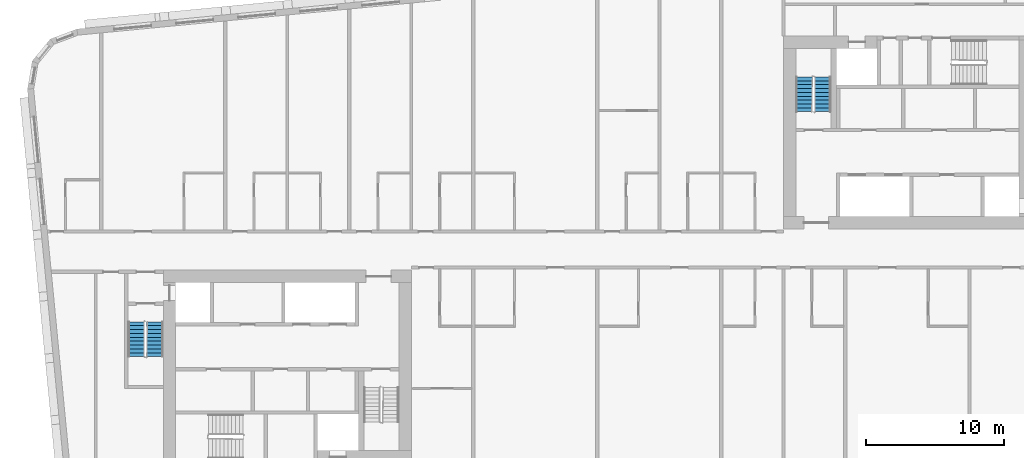
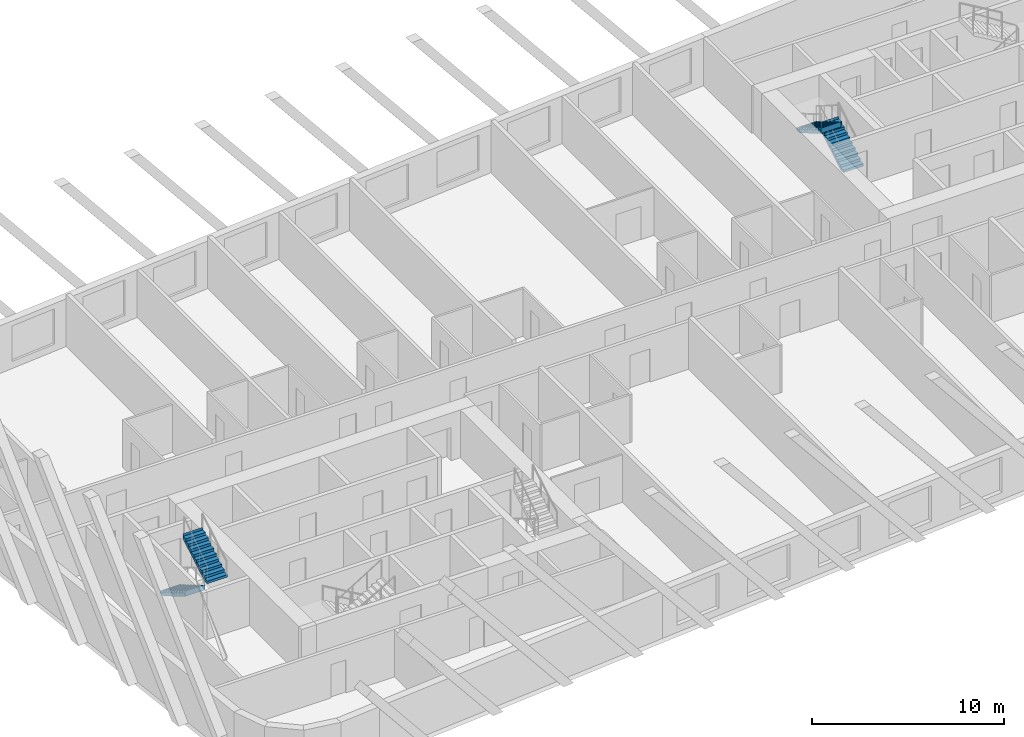
# One storey, part 9 of 12: 4 stair flights, 2 elements without a shape of their own.
"""IFC4 building model written with IfcOpenShell, lengths in metres."""

from ifc_helpers import new_model, si_unit, direction, frame, origin, place, context, subcontext, project, spatial, faceted_brep, material, type_object, element, aggregate, save


model = new_model("IFC4")

# Units and contexts
model_context = context("Model", 3, precision=1e-05, world=origin(), true_north=direction((0.0, 1.0)))
body_context = subcontext(model_context, "Body", "Model", "MODEL_VIEW")
ifc_project = project(units=[si_unit("LENGTHUNIT", "METRE"), si_unit("AREAUNIT", "SQUARE_METRE"), si_unit("VOLUMEUNIT", "CUBIC_METRE"), si_unit("PLANEANGLEUNIT", "RADIAN"), si_unit("MASSUNIT", "GRAM", prefix="KILO")], contexts=[model_context])

# Site, building, storey
site_placement = place(None, origin())
site = spatial("IfcSite", under=ifc_project, at=site_placement, CompositionType="ELEMENT")
building_placement = place(site_placement, origin())
building = spatial("IfcBuilding", under=site, at=building_placement, Name="Kajstack Hotel Tower", CompositionType="ELEMENT")
storey_placement = place(building_placement, frame((0.0, 0.0, 288.300048828125)))
storey = spatial("IfcBuildingStorey", under=building, at=storey_placement, Name="L72", CompositionType="ELEMENT", Elevation=288.300048828125)

# Stair, stair flights
ifc_material = material(Name="Concrete C40/50", Category="concrete")
stair_type = type_object("IfcStairType", Name="Exit stair 1200", PredefinedType="HALF_TURN_STAIR", material=ifc_material)
stair_1_placement = place(storey_placement, origin())
stair_1 = element("IfcStair", 1, at=stair_1_placement, inside=storey, type_object=stair_type, Name="L72 stair W1", PredefinedType="HALF_TURN_STAIR")
stair_flight_type = type_object("IfcStairFlightType", Name="Exit stair flight 1200", PredefinedType="STRAIGHT", material=ifc_material)
stair_flight_1_placement = place(storey_placement, frame((-33.449951171875, -5.25, 0.0), z_axis=(0.0, 0.0, 1.0), x_axis=(0.0, -1.0, 0.0)))
stair_flight_1 = element("IfcStairFlight", 2, at=stair_flight_1_placement, type_object=stair_flight_type, Name="W1 flight 1", NumberOfRisers=10, NumberOfTreads=9, PredefinedType="STRAIGHT", RiserHeight=0.165, TreadLength=0.28, context=body_context, shape_type="Brep", body=[
    faceted_brep([(0.295654296875, -0.60009765625, 0.0), (2.5205078125, -0.60009765625, 1.31103515625), (2.5205078125, -0.60009765625, 1.64990234375), (2.52001953125, -0.60009765625, 1.64990234375), (2.52001953125, -0.60009765625, 1.485107421875), (2.239990234375, -0.60009765625, 1.485107421875), (2.239990234375, -0.60009765625, 1.320068359375), (1.9599609375, -0.60009765625, 1.320068359375), (1.9599609375, -0.60009765625, 1.155029296875), (1.679931640625, -0.60009765625, 1.155029296875), (1.679931640625, -0.60009765625, 0.989990234375), (1.39990234375, -0.60009765625, 0.989990234375), (1.39990234375, -0.60009765625, 0.824951171875), (1.1201171875, -0.60009765625, 0.824951171875), (1.1201171875, -0.60009765625, 0.659912109375), (0.840087890625, -0.60009765625, 0.659912109375), (0.840087890625, -0.60009765625, 0.4951171875), (0.56005859375, -0.60009765625, 0.4951171875), (0.56005859375, -0.60009765625, 0.330078125), (0.280029296875, -0.60009765625, 0.330078125), (0.280029296875, -0.60009765625, 0.1650390625), (-0.00048828125, -0.60009765625, 0.1650390625), (-0.00048828125, -0.60009765625, 0.0), (-0.00048828125, 0.60009765625, 0.0), (-0.00048828125, 0.60009765625, 0.1650390625), (0.280029296875, 0.60009765625, 0.1650390625), (0.280029296875, 0.60009765625, 0.330078125), (0.56005859375, 0.60009765625, 0.330078125), (0.56005859375, 0.60009765625, 0.4951171875), (0.840087890625, 0.60009765625, 0.4951171875), (0.840087890625, 0.60009765625, 0.659912109375), (1.1201171875, 0.60009765625, 0.659912109375), (1.1201171875, 0.60009765625, 0.824951171875), (1.39990234375, 0.60009765625, 0.824951171875), (1.39990234375, 0.60009765625, 0.989990234375), (1.679931640625, 0.60009765625, 0.989990234375), (1.679931640625, 0.60009765625, 1.155029296875), (1.9599609375, 0.60009765625, 1.155029296875), (1.9599609375, 0.60009765625, 1.320068359375), (2.239990234375, 0.60009765625, 1.320068359375), (2.239990234375, 0.60009765625, 1.485107421875), (2.52001953125, 0.60009765625, 1.485107421875), (2.52001953125, 0.60009765625, 1.64990234375), (2.5205078125, 0.60009765625, 1.64990234375), (2.5205078125, 0.60009765625, 1.31103515625), (0.295654296875, 0.60009765625, 0.0), (-0.00048828125, -0.300048828125, 0.1650390625), (-0.00048828125, 0.0, 0.1650390625), (-0.00048828125, 0.300048828125, 0.1650390625), (-0.00048828125, 0.300048828125, 0.0), (-0.00048828125, 0.0, 0.0), (-0.00048828125, -0.300048828125, 0.0), (0.280029296875, -0.300048828125, 0.1650390625), (0.280029296875, 0.0, 0.1650390625), (0.280029296875, 0.300048828125, 0.1650390625), (0.280029296875, -0.300048828125, 0.330078125), (0.280029296875, 0.0, 0.330078125), (0.280029296875, 0.300048828125, 0.330078125), (0.56005859375, -0.300048828125, 0.330078125), (0.56005859375, 0.0, 0.330078125), (0.56005859375, 0.300048828125, 0.330078125), (0.56005859375, -0.300048828125, 0.4951171875), (0.56005859375, 0.0, 0.4951171875), (0.56005859375, 0.300048828125, 0.4951171875), (0.840087890625, -0.300048828125, 0.4951171875), (0.840087890625, 0.0, 0.4951171875), (0.840087890625, 0.300048828125, 0.4951171875), (0.840087890625, -0.300048828125, 0.659912109375), (0.840087890625, 0.0, 0.659912109375), (0.840087890625, 0.300048828125, 0.659912109375), (1.1201171875, -0.300048828125, 0.659912109375), (1.1201171875, 0.0, 0.659912109375), (1.1201171875, 0.300048828125, 0.659912109375), (1.1201171875, -0.300048828125, 0.824951171875), (1.1201171875, 0.0, 0.824951171875), (1.1201171875, 0.300048828125, 0.824951171875), (1.39990234375, -0.300048828125, 0.824951171875), (1.39990234375, 0.0, 0.824951171875), (1.39990234375, 0.300048828125, 0.824951171875), (1.39990234375, -0.300048828125, 0.989990234375), (1.39990234375, 0.0, 0.989990234375), (1.39990234375, 0.300048828125, 0.989990234375), (1.679931640625, -0.300048828125, 0.989990234375), (1.679931640625, 0.0, 0.989990234375), (1.679931640625, 0.300048828125, 0.989990234375), (1.679931640625, -0.300048828125, 1.155029296875), (1.679931640625, 0.0, 1.155029296875), (1.679931640625, 0.300048828125, 1.155029296875), (1.9599609375, -0.300048828125, 1.155029296875), (1.9599609375, 0.0, 1.155029296875), (1.9599609375, 0.300048828125, 1.155029296875), (1.9599609375, -0.300048828125, 1.320068359375), (1.9599609375, 0.0, 1.320068359375), (1.9599609375, 0.300048828125, 1.320068359375), (2.239990234375, -0.300048828125, 1.320068359375), (2.239990234375, 0.0, 1.320068359375), (2.239990234375, 0.300048828125, 1.320068359375), (2.239990234375, -0.300048828125, 1.485107421875), (2.239990234375, 0.0, 1.485107421875), (2.239990234375, 0.300048828125, 1.485107421875), (2.52001953125, -0.300048828125, 1.485107421875), (2.52001953125, 0.0, 1.485107421875), (2.52001953125, 0.300048828125, 1.485107421875), (2.52001953125, -0.300048828125, 1.64990234375), (2.52001953125, 0.0, 1.64990234375), (2.52001953125, 0.300048828125, 1.64990234375), (2.5205078125, -0.300048828125, 1.64990234375), (2.5205078125, 0.0, 1.64990234375), (2.5205078125, 0.300048828125, 1.64990234375), (2.5205078125, -0.300048828125, 1.31103515625), (2.5205078125, 0.0, 1.31103515625), (2.5205078125, 0.300048828125, 1.31103515625), (0.295654296875, -0.300048828125, 0.0), (0.295654296875, 0.0, 0.0), (0.295654296875, 0.300048828125, 0.0)], [[[0, 1, 2, 3, 4, 5, 6, 7, 8, 9, 10, 11, 12, 13, 14, 15, 16, 17, 18, 19, 20, 21, 22]], [[23, 24, 25, 26, 27, 28, 29, 30, 31, 32, 33, 34, 35, 36, 37, 38, 39, 40, 41, 42, 43, 44, 45]], [[21, 46, 47, 48, 24, 23, 49, 50, 51, 22]], [[20, 52, 53, 54, 25, 24, 48, 47, 46, 21]], [[19, 55, 56, 57, 26, 25, 54, 53, 52, 20]], [[18, 58, 59, 60, 27, 26, 57, 56, 55, 19]], [[17, 61, 62, 63, 28, 27, 60, 59, 58, 18]], [[16, 64, 65, 66, 29, 28, 63, 62, 61, 17]], [[15, 67, 68, 69, 30, 29, 66, 65, 64, 16]], [[14, 70, 71, 72, 31, 30, 69, 68, 67, 15]], [[13, 73, 74, 75, 32, 31, 72, 71, 70, 14]], [[12, 76, 77, 78, 33, 32, 75, 74, 73, 13]], [[11, 79, 80, 81, 34, 33, 78, 77, 76, 12]], [[10, 82, 83, 84, 35, 34, 81, 80, 79, 11]], [[9, 85, 86, 87, 36, 35, 84, 83, 82, 10]], [[8, 88, 89, 90, 37, 36, 87, 86, 85, 9]], [[7, 91, 92, 93, 38, 37, 90, 89, 88, 8]], [[6, 94, 95, 96, 39, 38, 93, 92, 91, 7]], [[5, 97, 98, 99, 40, 39, 96, 95, 94, 6]], [[4, 100, 101, 102, 41, 40, 99, 98, 97, 5]], [[3, 103, 104, 105, 42, 41, 102, 101, 100, 4]], [[2, 106, 107, 108, 43, 42, 105, 104, 103, 3]], [[1, 109, 110, 111, 44, 43, 108, 107, 106, 2]], [[0, 112, 113, 114, 45, 44, 111, 110, 109, 1]], [[22, 51, 50, 49, 23, 45, 114, 113, 112, 0]]]),
])
stair_flight_2_placement = place(storey_placement, frame((-32.10009765625, -7.77001953125, 1.64990234375), z_axis=(0.0, 0.0, 1.0), x_axis=(0.0, 1.0, 0.0)))
stair_flight_2 = element("IfcStairFlight", 3, at=stair_flight_2_placement, type_object=stair_flight_type, Name="W1 flight 2", NumberOfRisers=10, NumberOfTreads=9, PredefinedType="STRAIGHT", RiserHeight=0.165, TreadLength=0.28, context=body_context, shape_type="Brep", body=[
    faceted_brep([(0.295654296875, -0.60009765625, 0.0), (2.5205078125, -0.60009765625, 1.31103515625), (2.5205078125, -0.60009765625, 1.64990234375), (2.52001953125, -0.60009765625, 1.64990234375), (2.52001953125, -0.60009765625, 1.485107421875), (2.239990234375, -0.60009765625, 1.485107421875), (2.239990234375, -0.60009765625, 1.320068359375), (1.9599609375, -0.60009765625, 1.320068359375), (1.9599609375, -0.60009765625, 1.155029296875), (1.679931640625, -0.60009765625, 1.155029296875), (1.679931640625, -0.60009765625, 0.989990234375), (1.39990234375, -0.60009765625, 0.989990234375), (1.39990234375, -0.60009765625, 0.824951171875), (1.1201171875, -0.60009765625, 0.824951171875), (1.1201171875, -0.60009765625, 0.659912109375), (0.840087890625, -0.60009765625, 0.659912109375), (0.840087890625, -0.60009765625, 0.4951171875), (0.56005859375, -0.60009765625, 0.4951171875), (0.56005859375, -0.60009765625, 0.330078125), (0.280029296875, -0.60009765625, 0.330078125), (0.280029296875, -0.60009765625, 0.1650390625), (-0.00048828125, -0.60009765625, 0.1650390625), (-0.00048828125, -0.60009765625, 0.0), (-0.00048828125, 0.60009765625, 0.0), (-0.00048828125, 0.60009765625, 0.1650390625), (0.280029296875, 0.60009765625, 0.1650390625), (0.280029296875, 0.60009765625, 0.330078125), (0.56005859375, 0.60009765625, 0.330078125), (0.56005859375, 0.60009765625, 0.4951171875), (0.840087890625, 0.60009765625, 0.4951171875), (0.840087890625, 0.60009765625, 0.659912109375), (1.1201171875, 0.60009765625, 0.659912109375), (1.1201171875, 0.60009765625, 0.824951171875), (1.39990234375, 0.60009765625, 0.824951171875), (1.39990234375, 0.60009765625, 0.989990234375), (1.679931640625, 0.60009765625, 0.989990234375), (1.679931640625, 0.60009765625, 1.155029296875), (1.9599609375, 0.60009765625, 1.155029296875), (1.9599609375, 0.60009765625, 1.320068359375), (2.239990234375, 0.60009765625, 1.320068359375), (2.239990234375, 0.60009765625, 1.485107421875), (2.52001953125, 0.60009765625, 1.485107421875), (2.52001953125, 0.60009765625, 1.64990234375), (2.5205078125, 0.60009765625, 1.64990234375), (2.5205078125, 0.60009765625, 1.31103515625), (0.295654296875, 0.60009765625, 0.0), (-0.00048828125, -0.300048828125, 0.1650390625), (-0.00048828125, 0.0, 0.1650390625), (-0.00048828125, 0.300048828125, 0.1650390625), (-0.00048828125, 0.300048828125, 0.0), (-0.00048828125, 0.0, 0.0), (-0.00048828125, -0.300048828125, 0.0), (0.280029296875, -0.300048828125, 0.1650390625), (0.280029296875, 0.0, 0.1650390625), (0.280029296875, 0.300048828125, 0.1650390625), (0.280029296875, -0.300048828125, 0.330078125), (0.280029296875, 0.0, 0.330078125), (0.280029296875, 0.300048828125, 0.330078125), (0.56005859375, -0.300048828125, 0.330078125), (0.56005859375, 0.0, 0.330078125), (0.56005859375, 0.300048828125, 0.330078125), (0.56005859375, -0.300048828125, 0.4951171875), (0.56005859375, 0.0, 0.4951171875), (0.56005859375, 0.300048828125, 0.4951171875), (0.840087890625, -0.300048828125, 0.4951171875), (0.840087890625, 0.0, 0.4951171875), (0.840087890625, 0.300048828125, 0.4951171875), (0.840087890625, -0.300048828125, 0.659912109375), (0.840087890625, 0.0, 0.659912109375), (0.840087890625, 0.300048828125, 0.659912109375), (1.1201171875, -0.300048828125, 0.659912109375), (1.1201171875, 0.0, 0.659912109375), (1.1201171875, 0.300048828125, 0.659912109375), (1.1201171875, -0.300048828125, 0.824951171875), (1.1201171875, 0.0, 0.824951171875), (1.1201171875, 0.300048828125, 0.824951171875), (1.39990234375, -0.300048828125, 0.824951171875), (1.39990234375, 0.0, 0.824951171875), (1.39990234375, 0.300048828125, 0.824951171875), (1.39990234375, -0.300048828125, 0.989990234375), (1.39990234375, 0.0, 0.989990234375), (1.39990234375, 0.300048828125, 0.989990234375), (1.679931640625, -0.300048828125, 0.989990234375), (1.679931640625, 0.0, 0.989990234375), (1.679931640625, 0.300048828125, 0.989990234375), (1.679931640625, -0.300048828125, 1.155029296875), (1.679931640625, 0.0, 1.155029296875), (1.679931640625, 0.300048828125, 1.155029296875), (1.9599609375, -0.300048828125, 1.155029296875), (1.9599609375, 0.0, 1.155029296875), (1.9599609375, 0.300048828125, 1.155029296875), (1.9599609375, -0.300048828125, 1.320068359375), (1.9599609375, 0.0, 1.320068359375), (1.9599609375, 0.300048828125, 1.320068359375), (2.239990234375, -0.300048828125, 1.320068359375), (2.239990234375, 0.0, 1.320068359375), (2.239990234375, 0.300048828125, 1.320068359375), (2.239990234375, -0.300048828125, 1.485107421875), (2.239990234375, 0.0, 1.485107421875), (2.239990234375, 0.300048828125, 1.485107421875), (2.52001953125, -0.300048828125, 1.485107421875), (2.52001953125, 0.0, 1.485107421875), (2.52001953125, 0.300048828125, 1.485107421875), (2.52001953125, -0.300048828125, 1.64990234375), (2.52001953125, 0.0, 1.64990234375), (2.52001953125, 0.300048828125, 1.64990234375), (2.5205078125, -0.300048828125, 1.64990234375), (2.5205078125, 0.0, 1.64990234375), (2.5205078125, 0.300048828125, 1.64990234375), (2.5205078125, -0.300048828125, 1.31103515625), (2.5205078125, 0.0, 1.31103515625), (2.5205078125, 0.300048828125, 1.31103515625), (0.295654296875, -0.300048828125, 0.0), (0.295654296875, 0.0, 0.0), (0.295654296875, 0.300048828125, 0.0)], [[[0, 1, 2, 3, 4, 5, 6, 7, 8, 9, 10, 11, 12, 13, 14, 15, 16, 17, 18, 19, 20, 21, 22]], [[23, 24, 25, 26, 27, 28, 29, 30, 31, 32, 33, 34, 35, 36, 37, 38, 39, 40, 41, 42, 43, 44, 45]], [[21, 46, 47, 48, 24, 23, 49, 50, 51, 22]], [[20, 52, 53, 54, 25, 24, 48, 47, 46, 21]], [[19, 55, 56, 57, 26, 25, 54, 53, 52, 20]], [[18, 58, 59, 60, 27, 26, 57, 56, 55, 19]], [[17, 61, 62, 63, 28, 27, 60, 59, 58, 18]], [[16, 64, 65, 66, 29, 28, 63, 62, 61, 17]], [[15, 67, 68, 69, 30, 29, 66, 65, 64, 16]], [[14, 70, 71, 72, 31, 30, 69, 68, 67, 15]], [[13, 73, 74, 75, 32, 31, 72, 71, 70, 14]], [[12, 76, 77, 78, 33, 32, 75, 74, 73, 13]], [[11, 79, 80, 81, 34, 33, 78, 77, 76, 12]], [[10, 82, 83, 84, 35, 34, 81, 80, 79, 11]], [[9, 85, 86, 87, 36, 35, 84, 83, 82, 10]], [[8, 88, 89, 90, 37, 36, 87, 86, 85, 9]], [[7, 91, 92, 93, 38, 37, 90, 89, 88, 8]], [[6, 94, 95, 96, 39, 38, 93, 92, 91, 7]], [[5, 97, 98, 99, 40, 39, 96, 95, 94, 6]], [[4, 100, 101, 102, 41, 40, 99, 98, 97, 5]], [[3, 103, 104, 105, 42, 41, 102, 101, 100, 4]], [[2, 106, 107, 108, 43, 42, 105, 104, 103, 3]], [[1, 109, 110, 111, 44, 43, 108, 107, 106, 2]], [[0, 112, 113, 114, 45, 44, 111, 110, 109, 1]], [[22, 51, 50, 49, 23, 45, 114, 113, 112, 0]]]),
])
aggregate(stair_1, [stair_flight_1, stair_flight_2])

stair_2_placement = place(storey_placement, origin())
stair_2 = element("IfcStair", 4, at=stair_2_placement, inside=storey, type_object=stair_type, Name="L72 stair E2", PredefinedType="HALF_TURN_STAIR")
stair_flight_3_placement = place(storey_placement, frame((16.35009765625, 10.0, 0.0), z_axis=(0.0, 0.0, 1.0), x_axis=(0.0, 1.0, 0.0)))
stair_flight_3 = element("IfcStairFlight", 5, at=stair_flight_3_placement, type_object=stair_flight_type, Name="E2 flight 1", NumberOfRisers=10, NumberOfTreads=9, PredefinedType="STRAIGHT", RiserHeight=0.165, TreadLength=0.28, context=body_context, shape_type="Brep", body=[
    faceted_brep([(0.295654296875, -0.60009765625, 0.0), (2.5205078125, -0.60009765625, 1.31103515625), (2.5205078125, -0.60009765625, 1.64990234375), (2.52001953125, -0.60009765625, 1.64990234375), (2.52001953125, -0.60009765625, 1.485107421875), (2.239990234375, -0.60009765625, 1.485107421875), (2.239990234375, -0.60009765625, 1.320068359375), (1.9599609375, -0.60009765625, 1.320068359375), (1.9599609375, -0.60009765625, 1.155029296875), (1.679931640625, -0.60009765625, 1.155029296875), (1.679931640625, -0.60009765625, 0.989990234375), (1.39990234375, -0.60009765625, 0.989990234375), (1.39990234375, -0.60009765625, 0.824951171875), (1.1201171875, -0.60009765625, 0.824951171875), (1.1201171875, -0.60009765625, 0.659912109375), (0.840087890625, -0.60009765625, 0.659912109375), (0.840087890625, -0.60009765625, 0.4951171875), (0.56005859375, -0.60009765625, 0.4951171875), (0.56005859375, -0.60009765625, 0.330078125), (0.280029296875, -0.60009765625, 0.330078125), (0.280029296875, -0.60009765625, 0.1650390625), (-0.00048828125, -0.60009765625, 0.1650390625), (-0.00048828125, -0.60009765625, 0.0), (-0.00048828125, 0.60009765625, 0.0), (-0.00048828125, 0.60009765625, 0.1650390625), (0.280029296875, 0.60009765625, 0.1650390625), (0.280029296875, 0.60009765625, 0.330078125), (0.56005859375, 0.60009765625, 0.330078125), (0.56005859375, 0.60009765625, 0.4951171875), (0.840087890625, 0.60009765625, 0.4951171875), (0.840087890625, 0.60009765625, 0.659912109375), (1.1201171875, 0.60009765625, 0.659912109375), (1.1201171875, 0.60009765625, 0.824951171875), (1.39990234375, 0.60009765625, 0.824951171875), (1.39990234375, 0.60009765625, 0.989990234375), (1.679931640625, 0.60009765625, 0.989990234375), (1.679931640625, 0.60009765625, 1.155029296875), (1.9599609375, 0.60009765625, 1.155029296875), (1.9599609375, 0.60009765625, 1.320068359375), (2.239990234375, 0.60009765625, 1.320068359375), (2.239990234375, 0.60009765625, 1.485107421875), (2.52001953125, 0.60009765625, 1.485107421875), (2.52001953125, 0.60009765625, 1.64990234375), (2.5205078125, 0.60009765625, 1.64990234375), (2.5205078125, 0.60009765625, 1.31103515625), (0.295654296875, 0.60009765625, 0.0), (-0.00048828125, -0.300048828125, 0.1650390625), (-0.00048828125, 0.0, 0.1650390625), (-0.00048828125, 0.300048828125, 0.1650390625), (-0.00048828125, 0.300048828125, 0.0), (-0.00048828125, 0.0, 0.0), (-0.00048828125, -0.300048828125, 0.0), (0.280029296875, -0.300048828125, 0.1650390625), (0.280029296875, 0.0, 0.1650390625), (0.280029296875, 0.300048828125, 0.1650390625), (0.280029296875, -0.300048828125, 0.330078125), (0.280029296875, 0.0, 0.330078125), (0.280029296875, 0.300048828125, 0.330078125), (0.56005859375, -0.300048828125, 0.330078125), (0.56005859375, 0.0, 0.330078125), (0.56005859375, 0.300048828125, 0.330078125), (0.56005859375, -0.300048828125, 0.4951171875), (0.56005859375, 0.0, 0.4951171875), (0.56005859375, 0.300048828125, 0.4951171875), (0.840087890625, -0.300048828125, 0.4951171875), (0.840087890625, 0.0, 0.4951171875), (0.840087890625, 0.300048828125, 0.4951171875), (0.840087890625, -0.300048828125, 0.659912109375), (0.840087890625, 0.0, 0.659912109375), (0.840087890625, 0.300048828125, 0.659912109375), (1.1201171875, -0.300048828125, 0.659912109375), (1.1201171875, 0.0, 0.659912109375), (1.1201171875, 0.300048828125, 0.659912109375), (1.1201171875, -0.300048828125, 0.824951171875), (1.1201171875, 0.0, 0.824951171875), (1.1201171875, 0.300048828125, 0.824951171875), (1.39990234375, -0.300048828125, 0.824951171875), (1.39990234375, 0.0, 0.824951171875), (1.39990234375, 0.300048828125, 0.824951171875), (1.39990234375, -0.300048828125, 0.989990234375), (1.39990234375, 0.0, 0.989990234375), (1.39990234375, 0.300048828125, 0.989990234375), (1.679931640625, -0.300048828125, 0.989990234375), (1.679931640625, 0.0, 0.989990234375), (1.679931640625, 0.300048828125, 0.989990234375), (1.679931640625, -0.300048828125, 1.155029296875), (1.679931640625, 0.0, 1.155029296875), (1.679931640625, 0.300048828125, 1.155029296875), (1.9599609375, -0.300048828125, 1.155029296875), (1.9599609375, 0.0, 1.155029296875), (1.9599609375, 0.300048828125, 1.155029296875), (1.9599609375, -0.300048828125, 1.320068359375), (1.9599609375, 0.0, 1.320068359375), (1.9599609375, 0.300048828125, 1.320068359375), (2.239990234375, -0.300048828125, 1.320068359375), (2.239990234375, 0.0, 1.320068359375), (2.239990234375, 0.300048828125, 1.320068359375), (2.239990234375, -0.300048828125, 1.485107421875), (2.239990234375, 0.0, 1.485107421875), (2.239990234375, 0.300048828125, 1.485107421875), (2.52001953125, -0.300048828125, 1.485107421875), (2.52001953125, 0.0, 1.485107421875), (2.52001953125, 0.300048828125, 1.485107421875), (2.52001953125, -0.300048828125, 1.64990234375), (2.52001953125, 0.0, 1.64990234375), (2.52001953125, 0.300048828125, 1.64990234375), (2.5205078125, -0.300048828125, 1.64990234375), (2.5205078125, 0.0, 1.64990234375), (2.5205078125, 0.300048828125, 1.64990234375), (2.5205078125, -0.300048828125, 1.31103515625), (2.5205078125, 0.0, 1.31103515625), (2.5205078125, 0.300048828125, 1.31103515625), (0.295654296875, -0.300048828125, 0.0), (0.295654296875, 0.0, 0.0), (0.295654296875, 0.300048828125, 0.0)], [[[0, 1, 2, 3, 4, 5, 6, 7, 8, 9, 10, 11, 12, 13, 14, 15, 16, 17, 18, 19, 20, 21, 22]], [[23, 24, 25, 26, 27, 28, 29, 30, 31, 32, 33, 34, 35, 36, 37, 38, 39, 40, 41, 42, 43, 44, 45]], [[21, 46, 47, 48, 24, 23, 49, 50, 51, 22]], [[20, 52, 53, 54, 25, 24, 48, 47, 46, 21]], [[19, 55, 56, 57, 26, 25, 54, 53, 52, 20]], [[18, 58, 59, 60, 27, 26, 57, 56, 55, 19]], [[17, 61, 62, 63, 28, 27, 60, 59, 58, 18]], [[16, 64, 65, 66, 29, 28, 63, 62, 61, 17]], [[15, 67, 68, 69, 30, 29, 66, 65, 64, 16]], [[14, 70, 71, 72, 31, 30, 69, 68, 67, 15]], [[13, 73, 74, 75, 32, 31, 72, 71, 70, 14]], [[12, 76, 77, 78, 33, 32, 75, 74, 73, 13]], [[11, 79, 80, 81, 34, 33, 78, 77, 76, 12]], [[10, 82, 83, 84, 35, 34, 81, 80, 79, 11]], [[9, 85, 86, 87, 36, 35, 84, 83, 82, 10]], [[8, 88, 89, 90, 37, 36, 87, 86, 85, 9]], [[7, 91, 92, 93, 38, 37, 90, 89, 88, 8]], [[6, 94, 95, 96, 39, 38, 93, 92, 91, 7]], [[5, 97, 98, 99, 40, 39, 96, 95, 94, 6]], [[4, 100, 101, 102, 41, 40, 99, 98, 97, 5]], [[3, 103, 104, 105, 42, 41, 102, 101, 100, 4]], [[2, 106, 107, 108, 43, 42, 105, 104, 103, 3]], [[1, 109, 110, 111, 44, 43, 108, 107, 106, 2]], [[0, 112, 113, 114, 45, 44, 111, 110, 109, 1]], [[22, 51, 50, 49, 23, 45, 114, 113, 112, 0]]]),
])
stair_flight_4_placement = place(storey_placement, frame((15.0, 12.52001953125, 1.64990234375), z_axis=(0.0, 0.0, 1.0), x_axis=(0.0, -1.0, 0.0)))
stair_flight_4 = element("IfcStairFlight", 6, at=stair_flight_4_placement, type_object=stair_flight_type, Name="E2 flight 2", NumberOfRisers=10, NumberOfTreads=9, PredefinedType="STRAIGHT", RiserHeight=0.165, TreadLength=0.28, context=body_context, shape_type="Brep", body=[
    faceted_brep([(0.295654296875, -0.60009765625, 0.0), (2.5205078125, -0.60009765625, 1.31103515625), (2.5205078125, -0.60009765625, 1.64990234375), (2.52001953125, -0.60009765625, 1.64990234375), (2.52001953125, -0.60009765625, 1.485107421875), (2.239990234375, -0.60009765625, 1.485107421875), (2.239990234375, -0.60009765625, 1.320068359375), (1.9599609375, -0.60009765625, 1.320068359375), (1.9599609375, -0.60009765625, 1.155029296875), (1.679931640625, -0.60009765625, 1.155029296875), (1.679931640625, -0.60009765625, 0.989990234375), (1.39990234375, -0.60009765625, 0.989990234375), (1.39990234375, -0.60009765625, 0.824951171875), (1.1201171875, -0.60009765625, 0.824951171875), (1.1201171875, -0.60009765625, 0.659912109375), (0.840087890625, -0.60009765625, 0.659912109375), (0.840087890625, -0.60009765625, 0.4951171875), (0.56005859375, -0.60009765625, 0.4951171875), (0.56005859375, -0.60009765625, 0.330078125), (0.280029296875, -0.60009765625, 0.330078125), (0.280029296875, -0.60009765625, 0.1650390625), (-0.00048828125, -0.60009765625, 0.1650390625), (-0.00048828125, -0.60009765625, 0.0), (-0.00048828125, 0.60009765625, 0.0), (-0.00048828125, 0.60009765625, 0.1650390625), (0.280029296875, 0.60009765625, 0.1650390625), (0.280029296875, 0.60009765625, 0.330078125), (0.56005859375, 0.60009765625, 0.330078125), (0.56005859375, 0.60009765625, 0.4951171875), (0.840087890625, 0.60009765625, 0.4951171875), (0.840087890625, 0.60009765625, 0.659912109375), (1.1201171875, 0.60009765625, 0.659912109375), (1.1201171875, 0.60009765625, 0.824951171875), (1.39990234375, 0.60009765625, 0.824951171875), (1.39990234375, 0.60009765625, 0.989990234375), (1.679931640625, 0.60009765625, 0.989990234375), (1.679931640625, 0.60009765625, 1.155029296875), (1.9599609375, 0.60009765625, 1.155029296875), (1.9599609375, 0.60009765625, 1.320068359375), (2.239990234375, 0.60009765625, 1.320068359375), (2.239990234375, 0.60009765625, 1.485107421875), (2.52001953125, 0.60009765625, 1.485107421875), (2.52001953125, 0.60009765625, 1.64990234375), (2.5205078125, 0.60009765625, 1.64990234375), (2.5205078125, 0.60009765625, 1.31103515625), (0.295654296875, 0.60009765625, 0.0), (-0.00048828125, -0.300048828125, 0.1650390625), (-0.00048828125, 0.0, 0.1650390625), (-0.00048828125, 0.300048828125, 0.1650390625), (-0.00048828125, 0.300048828125, 0.0), (-0.00048828125, 0.0, 0.0), (-0.00048828125, -0.300048828125, 0.0), (0.280029296875, -0.300048828125, 0.1650390625), (0.280029296875, 0.0, 0.1650390625), (0.280029296875, 0.300048828125, 0.1650390625), (0.280029296875, -0.300048828125, 0.330078125), (0.280029296875, 0.0, 0.330078125), (0.280029296875, 0.300048828125, 0.330078125), (0.56005859375, -0.300048828125, 0.330078125), (0.56005859375, 0.0, 0.330078125), (0.56005859375, 0.300048828125, 0.330078125), (0.56005859375, -0.300048828125, 0.4951171875), (0.56005859375, 0.0, 0.4951171875), (0.56005859375, 0.300048828125, 0.4951171875), (0.840087890625, -0.300048828125, 0.4951171875), (0.840087890625, 0.0, 0.4951171875), (0.840087890625, 0.300048828125, 0.4951171875), (0.840087890625, -0.300048828125, 0.659912109375), (0.840087890625, 0.0, 0.659912109375), (0.840087890625, 0.300048828125, 0.659912109375), (1.1201171875, -0.300048828125, 0.659912109375), (1.1201171875, 0.0, 0.659912109375), (1.1201171875, 0.300048828125, 0.659912109375), (1.1201171875, -0.300048828125, 0.824951171875), (1.1201171875, 0.0, 0.824951171875), (1.1201171875, 0.300048828125, 0.824951171875), (1.39990234375, -0.300048828125, 0.824951171875), (1.39990234375, 0.0, 0.824951171875), (1.39990234375, 0.300048828125, 0.824951171875), (1.39990234375, -0.300048828125, 0.989990234375), (1.39990234375, 0.0, 0.989990234375), (1.39990234375, 0.300048828125, 0.989990234375), (1.679931640625, -0.300048828125, 0.989990234375), (1.679931640625, 0.0, 0.989990234375), (1.679931640625, 0.300048828125, 0.989990234375), (1.679931640625, -0.300048828125, 1.155029296875), (1.679931640625, 0.0, 1.155029296875), (1.679931640625, 0.300048828125, 1.155029296875), (1.9599609375, -0.300048828125, 1.155029296875), (1.9599609375, 0.0, 1.155029296875), (1.9599609375, 0.300048828125, 1.155029296875), (1.9599609375, -0.300048828125, 1.320068359375), (1.9599609375, 0.0, 1.320068359375), (1.9599609375, 0.300048828125, 1.320068359375), (2.239990234375, -0.300048828125, 1.320068359375), (2.239990234375, 0.0, 1.320068359375), (2.239990234375, 0.300048828125, 1.320068359375), (2.239990234375, -0.300048828125, 1.485107421875), (2.239990234375, 0.0, 1.485107421875), (2.239990234375, 0.300048828125, 1.485107421875), (2.52001953125, -0.300048828125, 1.485107421875), (2.52001953125, 0.0, 1.485107421875), (2.52001953125, 0.300048828125, 1.485107421875), (2.52001953125, -0.300048828125, 1.64990234375), (2.52001953125, 0.0, 1.64990234375), (2.52001953125, 0.300048828125, 1.64990234375), (2.5205078125, -0.300048828125, 1.64990234375), (2.5205078125, 0.0, 1.64990234375), (2.5205078125, 0.300048828125, 1.64990234375), (2.5205078125, -0.300048828125, 1.31103515625), (2.5205078125, 0.0, 1.31103515625), (2.5205078125, 0.300048828125, 1.31103515625), (0.295654296875, -0.300048828125, 0.0), (0.295654296875, 0.0, 0.0), (0.295654296875, 0.300048828125, 0.0)], [[[0, 1, 2, 3, 4, 5, 6, 7, 8, 9, 10, 11, 12, 13, 14, 15, 16, 17, 18, 19, 20, 21, 22]], [[23, 24, 25, 26, 27, 28, 29, 30, 31, 32, 33, 34, 35, 36, 37, 38, 39, 40, 41, 42, 43, 44, 45]], [[21, 46, 47, 48, 24, 23, 49, 50, 51, 22]], [[20, 52, 53, 54, 25, 24, 48, 47, 46, 21]], [[19, 55, 56, 57, 26, 25, 54, 53, 52, 20]], [[18, 58, 59, 60, 27, 26, 57, 56, 55, 19]], [[17, 61, 62, 63, 28, 27, 60, 59, 58, 18]], [[16, 64, 65, 66, 29, 28, 63, 62, 61, 17]], [[15, 67, 68, 69, 30, 29, 66, 65, 64, 16]], [[14, 70, 71, 72, 31, 30, 69, 68, 67, 15]], [[13, 73, 74, 75, 32, 31, 72, 71, 70, 14]], [[12, 76, 77, 78, 33, 32, 75, 74, 73, 13]], [[11, 79, 80, 81, 34, 33, 78, 77, 76, 12]], [[10, 82, 83, 84, 35, 34, 81, 80, 79, 11]], [[9, 85, 86, 87, 36, 35, 84, 83, 82, 10]], [[8, 88, 89, 90, 37, 36, 87, 86, 85, 9]], [[7, 91, 92, 93, 38, 37, 90, 89, 88, 8]], [[6, 94, 95, 96, 39, 38, 93, 92, 91, 7]], [[5, 97, 98, 99, 40, 39, 96, 95, 94, 6]], [[4, 100, 101, 102, 41, 40, 99, 98, 97, 5]], [[3, 103, 104, 105, 42, 41, 102, 101, 100, 4]], [[2, 106, 107, 108, 43, 42, 105, 104, 103, 3]], [[1, 109, 110, 111, 44, 43, 108, 107, 106, 2]], [[0, 112, 113, 114, 45, 44, 111, 110, 109, 1]], [[22, 51, 50, 49, 23, 45, 114, 113, 112, 0]]]),
])
aggregate(stair_2, [stair_flight_3, stair_flight_4])

save(model, "model.ifc")
